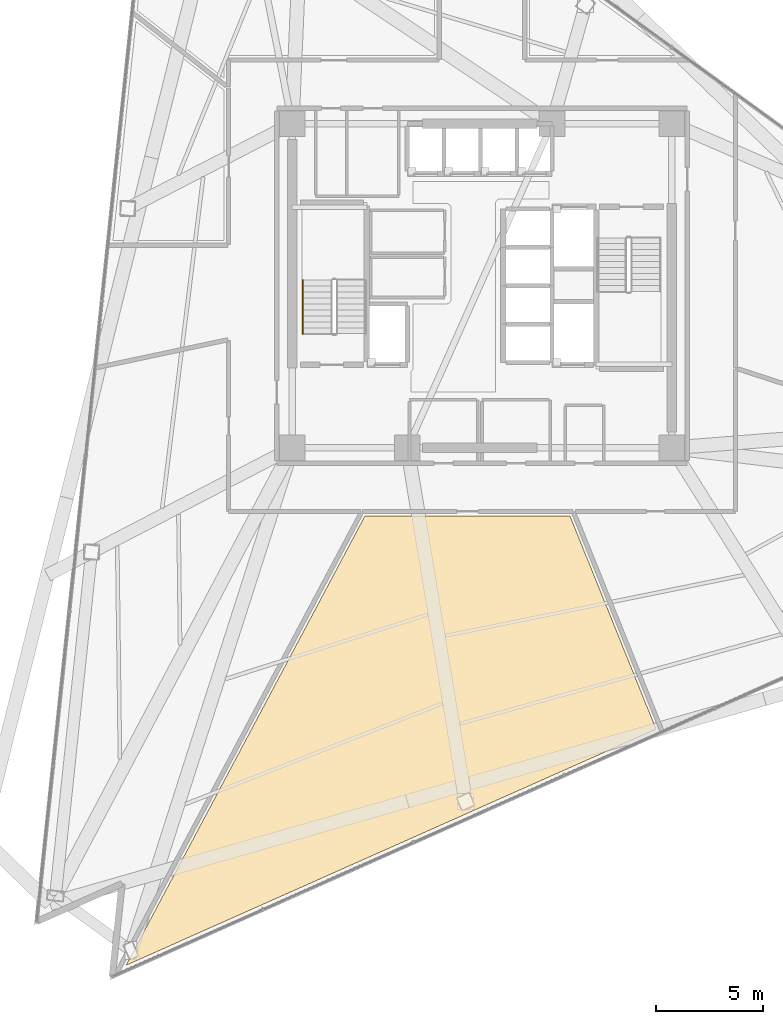
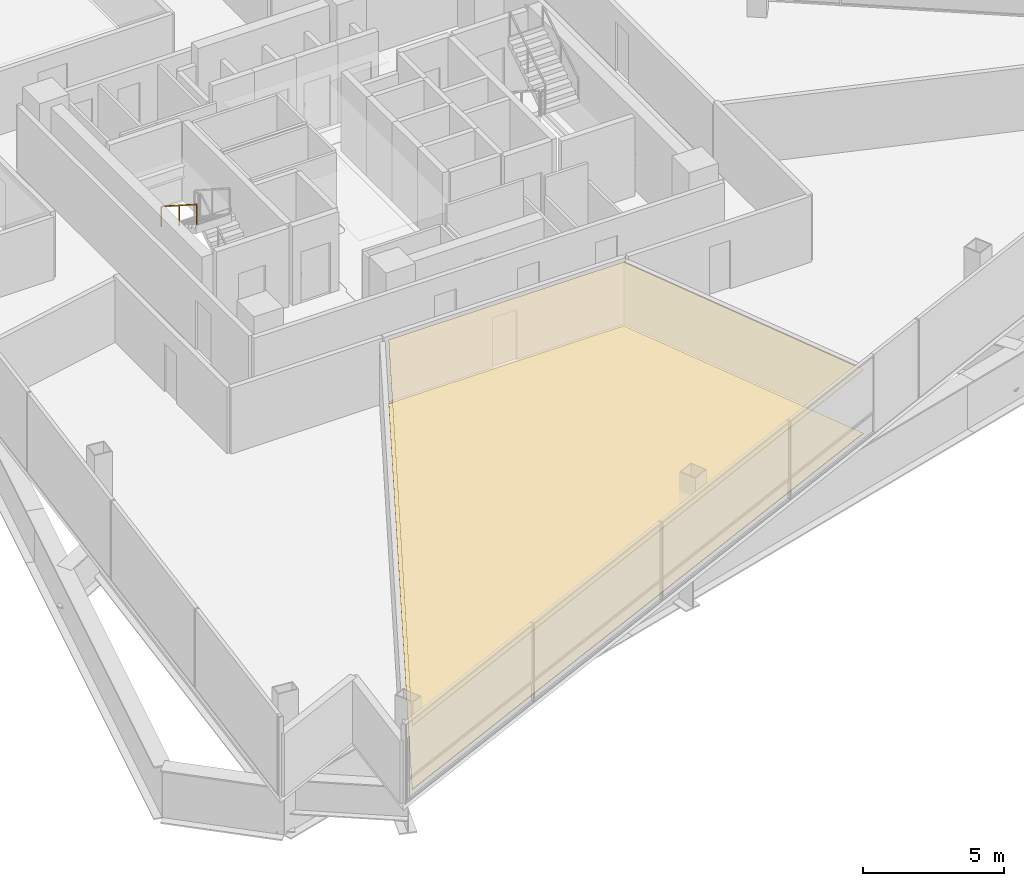
# One storey, part 14 of 17: 2 coverings, 1 railing.
"""IFC4 building model written with IfcOpenShell, lengths in metres."""

from ifc_helpers import new_model, si_unit, direction, frame, origin, origin_2d, place, context, subcontext, project, spatial, polyline, rectangle, outline, extrude, material, layer, layer_set, type_object, element, save


model = new_model("IFC4")

# Units and contexts
model_context = context("Model", 3, precision=1e-05, world=origin(), true_north=direction((0.0, 1.0)))
body_context = subcontext(model_context, "Body", "Model", "MODEL_VIEW")
ifc_project = project(units=[si_unit("LENGTHUNIT", "METRE"), si_unit("AREAUNIT", "SQUARE_METRE"), si_unit("VOLUMEUNIT", "CUBIC_METRE"), si_unit("PLANEANGLEUNIT", "RADIAN"), si_unit("MASSUNIT", "GRAM", prefix="KILO")], contexts=[model_context])

# Site, building, storey
site_placement = place(None, origin())
site = spatial("IfcSite", under=ifc_project, at=site_placement, CompositionType="ELEMENT")
building_placement = place(site_placement, origin())
building = spatial("IfcBuilding", under=site, at=building_placement, Name="Tharavind Bronze Gate", CompositionType="ELEMENT")
storey_placement = place(building_placement, frame((0.0, 0.0, 112.449951171875)))
storey = spatial("IfcBuildingStorey", under=building, at=storey_placement, Name="L28", CompositionType="ELEMENT", Elevation=112.449951171875)

# Coverings
ifc_material_1 = material(Name="Engineered Oak & Carpet Tile", Category="wood")
ifc_layer_1 = layer(ifc_material_1, 0.02490234375)
ifc_layer_set_1 = layer_set([ifc_layer_1], Name="Engineered Oak & Carpet Tile")
covering_type_1 = type_object("IfcCoveringType", Name="ENGINEERED TIMBER FLOORING", PredefinedType="FLOORING", material=ifc_layer_set_1)
covering_1_placement = place(storey_placement, origin())
element("IfcCovering", 1, at=covering_1_placement, inside=storey, type_object=covering_type_1, Name="L28-RM-05 floor finish", PredefinedType="FLOORING", context=body_context, shape_type="SweptSolid", body=[
    extrude(outline(polyline([(8.163330078125, -20.792236328125), (4.126220703125, -10.800048828125), (-5.493408203125, -10.800048828125), (-16.689697265625, -31.857666015625), (8.163330078125, -20.792236328125)])), origin(), (0.0, 0.0, 1.0), 0.025146484375),
])
ifc_material_2 = material(Name="Acoustic Gypsum Board", Category="gypsum")
ifc_layer_2 = layer(ifc_material_2, 0.030029296875)
ifc_layer_set_2 = layer_set([ifc_layer_2], Name="Acoustic Gypsum Board")
covering_type_2 = type_object("IfcCoveringType", Name="GYPSUM SUSPENDED CEILING", PredefinedType="CEILING", material=ifc_layer_set_2)
covering_2_placement = place(storey_placement, frame((0.0, 0.0, 2.75)))
element("IfcCovering", 2, at=covering_2_placement, inside=storey, type_object=covering_type_2, Name="L28-RM-05 suspended ceiling", PredefinedType="CEILING", context=body_context, shape_type="SweptSolid", body=[
    extrude(outline(polyline([(8.163330078125, -20.792236328125), (4.126220703125, -10.800048828125), (-5.493408203125, -10.800048828125), (-16.689697265625, -31.857666015625), (8.163330078125, -20.792236328125)])), origin(), (0.0, 0.0, 1.0), 0.03515625),
])

# Railing
ifc_material_3 = material(Name="Brushed Bronze Alloy", Category="metal")
railing_type = type_object("IfcRailingType", Name="STAIR BRONZE HANDRAIL 900", PredefinedType="HANDRAIL", material=ifc_material_3)
railing_placement = place(storey_placement, frame((-8.39990234375, 0.27001953125, 1.97998046875)))
element("IfcRailing", 3, at=railing_placement, inside=storey, type_object=railing_type, Name="L28 ST1 stair handrail 2", PredefinedType="HANDRAIL", context=body_context, shape_type="SweptSolid", body=[
    extrude(rectangle(XDim=0.048095703125, YDim=0.048095703125, at=origin_2d()), frame((0.0, -0.02685546875, 0.89306640625), z_axis=(0.0, -0.841162588446, 0.540782303519), x_axis=(1.0, 0.0, 0.0)), (0.0, 0.0, 1.0), 2.931884765625),
    extrude(rectangle(XDim=0.0400390625, YDim=0.0400390625, at=origin_2d()), origin(), (0.0, 0.0, 1.0), 0.847900390625),
    extrude(rectangle(XDim=0.0400390625, YDim=0.0400390625, at=origin_2d()), frame((0.0, -1.260009765625, 0.81005859375)), (0.0, 0.0, 1.0), 0.847900390625),
    extrude(rectangle(XDim=0.0400390625, YDim=0.0400390625, at=origin_2d()), frame((0.0, -2.52001953125, 1.6201171875)), (0.0, 0.0, 1.0), 0.847900390625),
])

save(model, "model.ifc")
